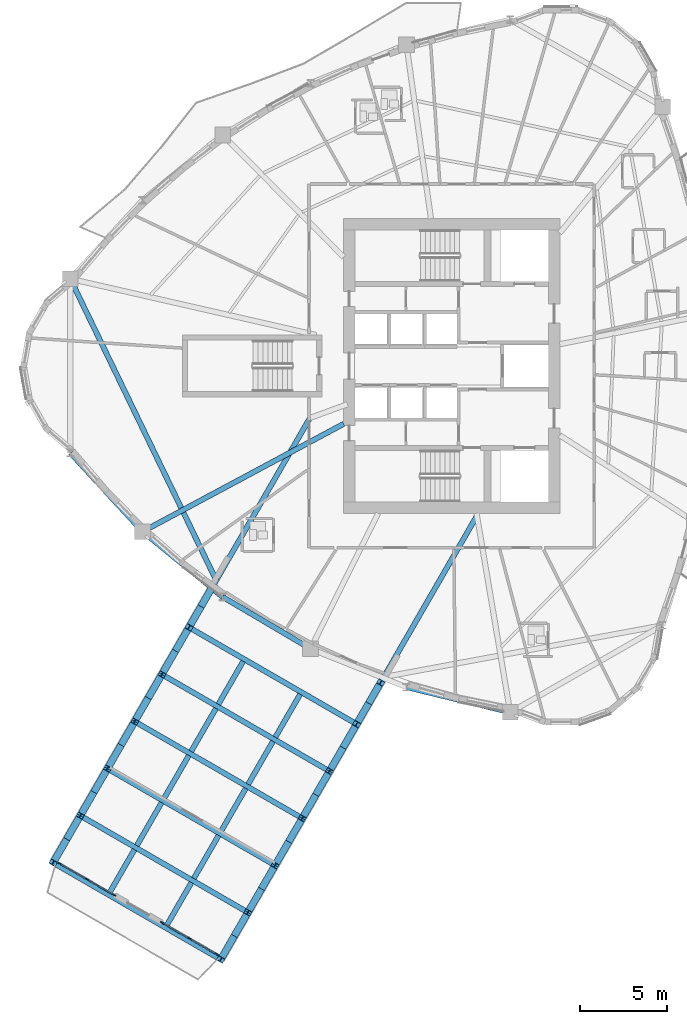
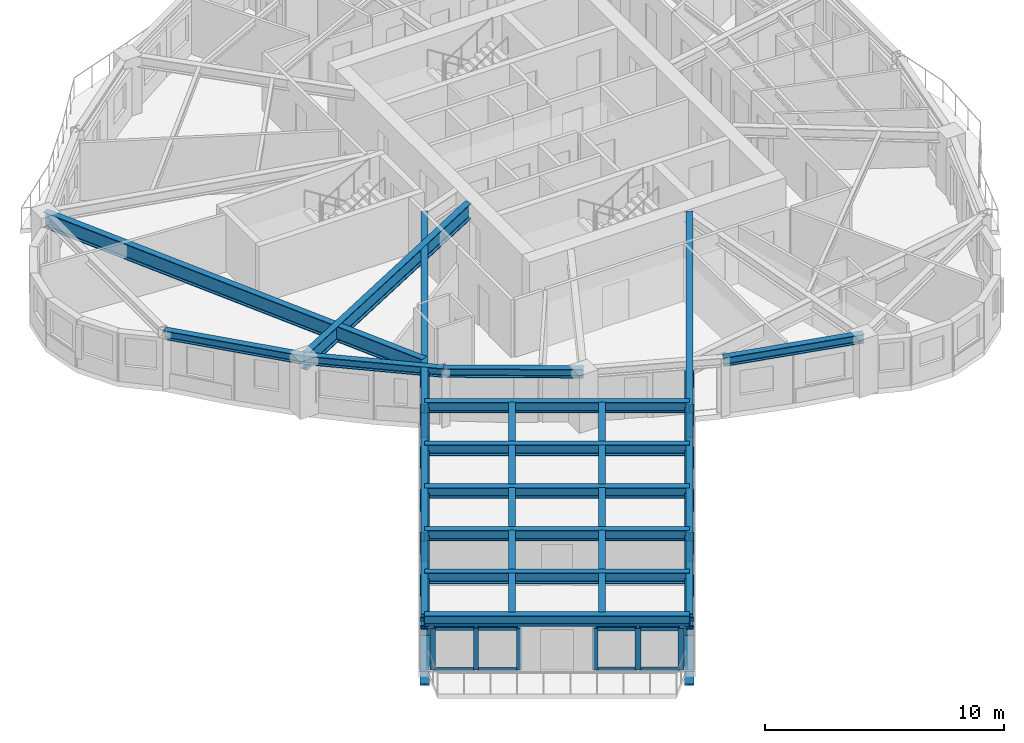
# One storey, part 2 of 17: 38 members, 24 beams, 2 elements without a shape of their own.
"""IFC4 building model written with IfcOpenShell, lengths in metres."""

from ifc_helpers import new_model, si_unit, direction, frame, origin, origin_2d, place, context, subcontext, project, spatial, rectangle, i_section, extrude, source, transform, mapped, material, layer, layer_set, material_profile, profile_set, type_object, element, aggregate, save


model = new_model("IFC4")

# Units and contexts
model_context = context("Model", 3, precision=1e-05, world=origin(), true_north=direction((0.0, 1.0)))
body_context = subcontext(model_context, "Body", "Model", "MODEL_VIEW")
ifc_project = project(units=[si_unit("LENGTHUNIT", "METRE"), si_unit("AREAUNIT", "SQUARE_METRE"), si_unit("VOLUMEUNIT", "CUBIC_METRE"), si_unit("PLANEANGLEUNIT", "RADIAN"), si_unit("MASSUNIT", "GRAM", prefix="KILO")], contexts=[model_context])

# Site, building, storey
site_placement = place(None, origin())
site = spatial("IfcSite", under=ifc_project, at=site_placement, CompositionType="ELEMENT")
building_placement = place(site_placement, origin())
building = spatial("IfcBuilding", under=site, at=building_placement, Name="Qafzar Sky-Pleat Residences", CompositionType="ELEMENT")
storey_placement = place(building_placement, frame((0.0, 0.0, 115.199951171875)))
storey = spatial("IfcBuildingStorey", under=building, at=storey_placement, Name="L34", CompositionType="ELEMENT", Elevation=115.199951171875)

# Beams
ifc_material_1 = material(Name="Steel S355", Category="steel")
ifc_material_profile_1 = material_profile(ifc_material_1, i_section(OverallWidth=0.300048828125, OverallDepth=0.449951171875, WebThickness=0.013916015625, FlangeThickness=0.02587890625, FilletRadius=0.027099609375, at=origin_2d()), Name="HEB 450")
ifc_profile_set_1 = profile_set([ifc_material_profile_1], Name="Steel S355")
beam_type_1 = type_object("IfcBeamType", Name="BM-SPAN-HEB450", PredefinedType="SPANDREL", material=ifc_profile_set_1)
shared_shape_1 = source(origin(), body_context, "Body", "SweptSolid", [
    extrude(i_section(OverallWidth=0.300048828125, OverallDepth=0.449951171875, WebThickness=0.013916015625, FlangeThickness=0.02587890625, FilletRadius=0.027099609375, at=origin_2d()), origin(), (0.0, 0.0, 1.0), 6.12255859375),
])
beam_1_placement = place(storey_placement, frame((8.47412109375, 21.003662109375, 2.72314453125), z_axis=(0.676462829948, -0.736476774718, 0.0), x_axis=(0.736476774718, 0.676462829948, 0.0)))
element("IfcBeam", 1, at=beam_1_placement, inside=storey, type_object=beam_type_1, Name="L34 Perimeter Spandrel Beam 2", PredefinedType="SPANDREL", context=body_context, shape_type="MappedRepresentation", body=[
    mapped(shared_shape_1, transform((0.0, 0.0, 0.0), x_axis=(1.0, 0.0, 0.0), y_axis=(0.0, 1.0, 0.0), z_axis=(0.0, 0.0, 1.0), scale=1.0)),
])
shared_shape_2 = source(origin(), body_context, "Body", "SweptSolid", [
    extrude(i_section(OverallWidth=0.300048828125, OverallDepth=0.449951171875, WebThickness=0.013916015625, FlangeThickness=0.02587890625, FilletRadius=0.027099609375, at=origin_2d()), origin(), (0.0, 0.0, 1.0), 5.9248046875),
])
beam_2_placement = place(storey_placement, frame((12.61572265625, 16.49462890625, 2.72314453125), z_axis=(0.775326900383, -0.631560129792, 0.0), x_axis=(0.631560129792, 0.775326900383, 0.0)))
element("IfcBeam", 2, at=beam_2_placement, inside=storey, type_object=beam_type_1, Name="L34 Perimeter Spandrel Beam 3", PredefinedType="SPANDREL", context=body_context, shape_type="MappedRepresentation", body=[
    mapped(shared_shape_2, transform((0.0, 0.0, 0.0), x_axis=(1.0, 0.0, 0.0), y_axis=(0.0, 1.0, 0.0), z_axis=(0.0, 0.0, 1.0), scale=1.0)),
])
shared_shape_3 = source(origin(), body_context, "Body", "SweptSolid", [
    extrude(i_section(OverallWidth=0.300048828125, OverallDepth=0.449951171875, WebThickness=0.013916015625, FlangeThickness=0.02587890625, FilletRadius=0.027099609375, at=origin_2d()), origin(), (0.0, 0.0, 1.0), 5.85791015625),
])
beam_3_placement = place(storey_placement, frame((17.20947265625, 12.752685546875, 2.72314453125), z_axis=(0.861428087591, -0.507879562406, 0.0), x_axis=(0.507879562406, 0.861428087591, 0.0)))
element("IfcBeam", 3, at=beam_3_placement, inside=storey, type_object=beam_type_1, Name="L34 Perimeter Spandrel Beam 4", PredefinedType="SPANDREL", context=body_context, shape_type="MappedRepresentation", body=[
    mapped(shared_shape_3, transform((0.0, 0.0, 0.0), x_axis=(1.0, 0.0, 0.0), y_axis=(0.0, 1.0, 0.0), z_axis=(0.0, 0.0, 1.0), scale=1.0)),
])
shared_shape_4 = source(origin(), body_context, "Body", "SweptSolid", [
    extrude(i_section(OverallWidth=0.300048828125, OverallDepth=0.449951171875, WebThickness=0.013916015625, FlangeThickness=0.02587890625, FilletRadius=0.027099609375, at=origin_2d()), origin(), (0.0, 0.0, 1.0), 6.122314453125),
])
beam_4_placement = place(storey_placement, frame((27.75390625, 7.5693359375, 2.72314453125), z_axis=(0.971910390101, -0.235351213325, 0.0), x_axis=(0.235351213325, 0.971910390101, 0.0)))
element("IfcBeam", 4, at=beam_4_placement, inside=storey, type_object=beam_type_1, Name="L34 Perimeter Spandrel Beam 6", PredefinedType="SPANDREL", context=body_context, shape_type="MappedRepresentation", body=[
    mapped(shared_shape_4, transform((0.0, 0.0, 0.0), x_axis=(1.0, 0.0, 0.0), y_axis=(0.0, 1.0, 0.0), z_axis=(0.0, 0.0, 1.0), scale=1.0)),
])
ifc_material_2 = material(Name="Steel S460", Category="steel")
ifc_material_profile_2 = material_profile(ifc_material_2, i_section(OverallWidth=0.300048828125, OverallDepth=0.800048828125, WebThickness=0.017578125, FlangeThickness=0.032958984375, FilletRadius=0.030029296875, at=origin_2d()), Name="HEB 800")
ifc_profile_set_2 = profile_set([ifc_material_profile_2], Name="Steel S460")
beam_type_2 = type_object("IfcBeamType", Name="BM-CHORD-HEB800", PredefinedType="BEAM", material=ifc_profile_set_2)
shared_shape_5 = source(origin(), body_context, "Body", "SweptSolid", [
    extrude(i_section(OverallWidth=0.300048828125, OverallDepth=0.800048828125, WebThickness=0.017578125, FlangeThickness=0.032958984375, FilletRadius=0.030029296875, at=origin_2d()), origin(), (0.0, 0.0, 1.0), 13.086669921875),
])
beam_5_placement = place(storey_placement, frame((12.61572265625, 16.49462890625, 2.548095703125), z_axis=(0.881373448835, 0.472420198223, 0.0), x_axis=(-0.472420198223, 0.881373448835, 0.0)))
element("IfcBeam", 5, at=beam_5_placement, inside=storey, type_object=beam_type_2, Name="L34 Radial Floor Girder 3", PredefinedType="BEAM", context=body_context, shape_type="MappedRepresentation", body=[
    mapped(shared_shape_5, transform((0.0, 0.0, 0.0), x_axis=(1.0, 0.0, 0.0), y_axis=(0.0, 1.0, 0.0), z_axis=(0.0, 0.0, 1.0), scale=1.0)),
])
shared_shape_6 = source(origin(), body_context, "Body", "SweptSolid", [
    extrude(i_section(OverallWidth=0.300048828125, OverallDepth=0.800048828125, WebThickness=0.017578125, FlangeThickness=0.032958984375, FilletRadius=0.030029296875, at=origin_2d()), origin(), (0.0, 0.0, 1.0), 29.460205078125),
])
beam_6_placement = place(storey_placement, frame((31.831298828125, 17.4658203125, 2.548095703125), z_axis=(-0.499994809059, -0.866028400755, 0.0), x_axis=(0.866028400755, -0.499994809059, 0.0)))
element("IfcBeam", 6, at=beam_6_placement, inside=storey, type_object=beam_type_2, Name="L34 SB-3 Truss Chord L1", PredefinedType="BEAM", context=body_context, shape_type="MappedRepresentation", body=[
    mapped(shared_shape_6, transform((0.0, 0.0, 0.0), x_axis=(1.0, 0.0, 0.0), y_axis=(0.0, 1.0, 0.0), z_axis=(0.0, 0.0, 1.0), scale=1.0)),
])
shared_shape_7 = source(origin(), body_context, "Body", "SweptSolid", [
    extrude(i_section(OverallWidth=0.300048828125, OverallDepth=0.800048828125, WebThickness=0.017578125, FlangeThickness=0.032958984375, FilletRadius=0.030029296875, at=origin_2d()), origin(), (0.0, 0.0, 1.0), 29.46044921875),
])
beam_7_placement = place(storey_placement, frame((22.218505859375, 23.015869140625, 2.548095703125), z_axis=(-0.5000010244, -0.866024812346, 0.0), x_axis=(0.866024812346, -0.5000010244, 0.0)))
element("IfcBeam", 7, at=beam_7_placement, inside=storey, type_object=beam_type_2, Name="L34 SB-3 Truss Chord R1", PredefinedType="BEAM", context=body_context, shape_type="MappedRepresentation", body=[
    mapped(shared_shape_7, transform((0.0, 0.0, 0.0), x_axis=(1.0, 0.0, 0.0), y_axis=(0.0, 1.0, 0.0), z_axis=(0.0, 0.0, 1.0), scale=1.0)),
])
shared_shape_8 = source(origin(), body_context, "Body", "SweptSolid", [
    extrude(i_section(OverallWidth=0.300048828125, OverallDepth=0.800048828125, WebThickness=0.017578125, FlangeThickness=0.032958984375, FilletRadius=0.030029296875, at=origin_2d()), origin(), (0.0, 0.0, 1.0), 19.209228515625),
])
beam_8_placement = place(storey_placement, frame((8.47412109375, 30.996337890625, 2.548095703125), z_axis=(0.435697460099, -0.900093174768, 0.0), x_axis=(0.900093174768, 0.435697460099, 0.0)))
element("IfcBeam", 8, at=beam_8_placement, inside=storey, type_object=beam_type_2, Name="L34 SB-3 Wing-Belt Top Chord R", PredefinedType="BEAM", context=body_context, shape_type="MappedRepresentation", body=[
    mapped(shared_shape_8, transform((0.0, 0.0, 0.0), x_axis=(1.0, 0.0, 0.0), y_axis=(0.0, 1.0, 0.0), z_axis=(0.0, 0.0, 1.0), scale=1.0)),
])
ifc_material_profile_3 = material_profile(ifc_material_1, i_section(OverallWidth=0.300048828125, OverallDepth=0.550048828125, WebThickness=0.014892578125, FlangeThickness=0.029052734375, FilletRadius=0.027099609375, at=origin_2d()), Name="HEB 550")
ifc_profile_set_3 = profile_set([ifc_material_profile_3], Name="Steel S355")
beam_type_3 = type_object("IfcBeamType", Name="BM-GIRD-HEB550", PredefinedType="BEAM", material=ifc_profile_set_3)
shared_shape_9 = source(origin(), body_context, "Body", "SweptSolid", [
    extrude(i_section(OverallWidth=0.300048828125, OverallDepth=0.550048828125, WebThickness=0.014892578125, FlangeThickness=0.029052734375, FilletRadius=0.027099609375, at=origin_2d()), origin(), (0.0, 0.0, 1.0), 11.099853515625),
])
for number, where, z_axis, x_axis, name in (
    (9, (24.897216796875, 5.45556640625, 2.68798828125), (-0.866021494144, 0.500006771635, 0.0), (-0.500006771635, -0.866021494144, 0.0), "L34 SB-3 Transverse Girder 1"),
    (10, (23.337890625, 2.7548828125, 2.68798828125), (-0.866021494144, 0.500006771635, 0.0), (-0.500006771635, -0.866021494144, 0.0), "L34 SB-3 Transverse Girder 2"),
    (11, (21.77880859375, 0.05419921875, 2.68798828125), (-0.866021494144, 0.500006771635, 0.0), (-0.500006771635, -0.866021494144, 0.0), "L34 SB-3 Transverse Girder 3"),
    (12, (20.219482421875, -2.646240234375, 2.68798828125), (-0.866021494144, 0.500006771635, 0.0), (-0.500006771635, -0.866021494144, 0.0), "L34 SB-3 Transverse Girder 4"),
    (13, (18.660400390625, -5.346923828125, 2.68798828125), (-0.866021494144, 0.500006771635, 0.0), (-0.500006771635, -0.866021494144, 0.0), "L34 SB-3 Transverse Girder 5"),
):
    element("IfcBeam", number, at=place(storey_placement, frame(where, z_axis=z_axis, x_axis=x_axis)), inside=storey, type_object=beam_type_3, Name=name, PredefinedType="BEAM", context=body_context, shape_type="MappedRepresentation", body=[
        mapped(shared_shape_9, transform((0.0, 0.0, 0.0), x_axis=(1.0, 0.0, 0.0), y_axis=(0.0, 1.0, 0.0), z_axis=(0.0, 0.0, 1.0), scale=1.0)),
    ])
ifc_material_profile_4 = material_profile(ifc_material_1, i_section(OverallWidth=0.300048828125, OverallDepth=0.389892578125, WebThickness=0.010986328125, FlangeThickness=0.01904296875, FilletRadius=0.027099609375, at=origin_2d()), Name="HEA 400")
ifc_profile_set_4 = profile_set([ifc_material_profile_4], Name="Steel S355")
beam_type_4 = type_object("IfcBeamType", Name="BM-SBJ-HEA400", PredefinedType="JOIST", material=ifc_profile_set_4)
shared_shape_10 = source(origin(), body_context, "Body", "SweptSolid", [
    extrude(i_section(OverallWidth=0.300048828125, OverallDepth=0.389892578125, WebThickness=0.010986328125, FlangeThickness=0.01904296875, FilletRadius=0.027099609375, at=origin_2d()), origin(), (0.0, 0.0, 1.0), 2.848388671875),
])
for number, where, z_axis, x_axis, name in (
    (14, (18.38916015625, 9.05712890625, 2.76806640625), (-0.500029111807, -0.866008595423, 0.0), (0.866008595423, -0.500029111807, 0.0), "L34 SB-3 Sky-Bar Secondary Deck Joist 2.1"),
    (15, (21.657470703125, 7.170166015625, 2.76806640625), (-0.499964828059, -0.866045709362, 0.0), (0.866045709362, -0.499964828059, 0.0), "L34 SB-3 Sky-Bar Secondary Deck Joist 2.2"),
    (16, (16.829833984375, 6.3564453125, 2.76806640625), (-0.499964828059, -0.866045709362, 0.0), (0.866045709362, -0.499964828059, 0.0), "L34 SB-3 Sky-Bar Secondary Deck Joist 3.1"),
    (17, (20.098388671875, 4.469482421875, 2.76806640625), (-0.500029111807, -0.866008595423, 0.0), (0.866008595423, -0.500029111807, 0.0), "L34 SB-3 Sky-Bar Secondary Deck Joist 3.2"),
    (18, (15.270751953125, 3.656005859375, 2.76806640625), (-0.500029111807, -0.866008595423, 0.0), (0.866008595423, -0.500029111807, 0.0), "L34 SB-3 Sky-Bar Secondary Deck Joist 4.1"),
    (19, (18.5390625, 1.768798828125, 2.76806640625), (-0.499964828059, -0.866045709362, 0.0), (0.866045709362, -0.499964828059, 0.0), "L34 SB-3 Sky-Bar Secondary Deck Joist 4.2"),
    (20, (13.71142578125, 0.955322265625, 2.76806640625), (-0.499964828059, -0.866045709362, 0.0), (0.866045709362, -0.499964828059, 0.0), "L34 SB-3 Sky-Bar Secondary Deck Joist 5.1"),
    (21, (16.97998046875, -0.931640625, 2.76806640625), (-0.500029111807, -0.866008595423, 0.0), (0.866008595423, -0.500029111807, 0.0), "L34 SB-3 Sky-Bar Secondary Deck Joist 5.2"),
    (22, (12.15234375, -1.745361328125, 2.76806640625), (-0.500029111807, -0.866008595423, 0.0), (0.866008595423, -0.500029111807, 0.0), "L34 SB-3 Sky-Bar Secondary Deck Joist 6.1"),
    (23, (15.420654296875, -3.63232421875, 2.76806640625), (-0.499964828059, -0.866045709362, 0.0), (0.866045709362, -0.499964828059, 0.0), "L34 SB-3 Sky-Bar Secondary Deck Joist 6.2"),
):
    element("IfcBeam", number, at=place(storey_placement, frame(where, z_axis=z_axis, x_axis=x_axis)), inside=storey, type_object=beam_type_4, Name=name, PredefinedType="JOIST", context=body_context, shape_type="MappedRepresentation", body=[
        mapped(shared_shape_10, transform((0.0, 0.0, 0.0), x_axis=(1.0, 0.0, 0.0), y_axis=(0.0, 1.0, 0.0), z_axis=(0.0, 0.0, 1.0), scale=1.0)),
    ])
shared_shape_11 = source(origin(), body_context, "Body", "SweptSolid", [
    extrude(i_section(OverallWidth=0.300048828125, OverallDepth=0.550048828125, WebThickness=0.014892578125, FlangeThickness=0.029052734375, FilletRadius=0.027099609375, at=origin_2d()), origin(), (0.0, 0.0, 1.0), 11.10009765625),
])
beam_9_placement = place(storey_placement, frame((17.101318359375, -8.047607421875, 2.68798828125), z_axis=(-0.866026992824, 0.499997247692, 0.0), x_axis=(-0.499997247692, -0.866026992824, 0.0)))
element("IfcBeam", 24, at=beam_9_placement, inside=storey, type_object=beam_type_3, Name="L34 SB-3 Transverse Girder 6", PredefinedType="BEAM", context=body_context, shape_type="MappedRepresentation", body=[
    mapped(shared_shape_11, transform((0.0, 0.0, 0.0), x_axis=(1.0, 0.0, 0.0), y_axis=(0.0, 1.0, 0.0), z_axis=(0.0, 0.0, 1.0), scale=1.0)),
])

# Members
ifc_material_profile_5 = material_profile(ifc_material_2, i_section(OverallWidth=0.40087890625, OverallDepth=0.39892578125, WebThickness=0.02294921875, FlangeThickness=0.035888671875, FilletRadius=0.014892578125, at=origin_2d()), Name="HD 400x314")
ifc_profile_set_5 = profile_set([ifc_material_profile_5], Name="Steel S460")
member_type_1 = type_object("IfcMemberType", Name="MEM-SB-DIAG", PredefinedType="BRACE", material=ifc_profile_set_5)
shared_shape_12 = source(origin(), body_context, "Body", "SweptSolid", [
    extrude(i_section(OverallWidth=0.40087890625, OverallDepth=0.39892578125, WebThickness=0.02294921875, FlangeThickness=0.035888671875, FilletRadius=0.014892578125, at=origin_2d()), origin(), (0.0, 0.0, 1.0), 4.236328125),
])
for number, where, z_axis, x_axis, name in (
    (25, (26.2763671875, 7.844482421875, -0.6669921875), (-0.325559693118, -0.563923100931, 0.758947707324), (0.866039674899, -0.49997528089, 0.0), "L34 SB-3 Truss Web Diagonal L1A"),
    (26, (26.2763671875, 7.844482421875, 2.548095703125), (-0.325559693118, -0.563923100931, -0.758947707324), (0.866039674899, -0.49997528089, 0.0), "L34 SB-3 Truss Web Diagonal L1B"),
):
    element("IfcMember", number, at=place(storey_placement, frame(where, z_axis=z_axis, x_axis=x_axis)), inside=storey, type_object=member_type_1, Name=name, PredefinedType="BRACE", context=body_context, shape_type="MappedRepresentation", body=[
        mapped(shared_shape_12, transform((0.0, 0.0, 0.0), x_axis=(1.0, 0.0, 0.0), y_axis=(0.0, 1.0, 0.0), z_axis=(0.0, 0.0, 1.0), scale=1.0)),
    ])
shared_shape_13 = source(origin(), body_context, "Body", "SweptSolid", [
    extrude(i_section(OverallWidth=0.40087890625, OverallDepth=0.39892578125, WebThickness=0.02294921875, FlangeThickness=0.035888671875, FilletRadius=0.014892578125, at=origin_2d()), origin(), (0.0, 0.0, 1.0), 4.47900390625),
])
for number, where, z_axis, x_axis, name in (
    (27, (24.897216796875, 5.45556640625, -0.6669921875), (-0.348136909967, -0.602957648044, 0.717804128285), (0.866013493936, -0.500020627895, 0.0), "L34 SB-3 Truss Web Diagonal L2A"),
    (28, (24.897216796875, 5.45556640625, 2.548095703125), (-0.348136909967, -0.602957648044, -0.717804128285), (0.866013493936, -0.500020627895, 0.0), "L34 SB-3 Truss Web Diagonal L2B"),
    (29, (23.337890625, 2.7548828125, -0.6669921875), (-0.348089007718, -0.60296908916, 0.717817748612), (0.866047393576, -0.499961910629, 0.0), "L34 SB-3 Truss Web Diagonal L3A"),
    (30, (23.337890625, 2.7548828125, 2.548095703125), (-0.348089007718, -0.60296908916, -0.717817748612), (0.866047393576, -0.499961910629, 0.0), "L34 SB-3 Truss Web Diagonal L3B"),
    (31, (21.77880859375, 0.05419921875, -0.6669921875), (-0.3481483517, -0.602922955716, 0.717827719358), (0.86599391852, -0.500054530113, 0.0), "L34 SB-3 Truss Web Diagonal L4A"),
    (32, (21.77880859375, 0.05419921875, 2.548095703125), (-0.3481483517, -0.602922955716, -0.717827719358), (0.86599391852, -0.500054530113, 0.0), "L34 SB-3 Truss Web Diagonal L4B"),
    (33, (20.219482421875, -2.646240234375, -0.6669921875), (-0.348089007718, -0.60296908916, 0.717817748612), (0.866047393576, -0.499961910629, 0.0), "L34 SB-3 Truss Web Diagonal L5A"),
    (34, (20.219482421875, -2.646240234375, 2.548095703125), (-0.348089007718, -0.60296908916, -0.717817748612), (0.866047393576, -0.499961910629, 0.0), "L34 SB-3 Truss Web Diagonal L5B"),
    (35, (18.660400390625, -5.346923828125, -0.6669921875), (-0.348089007718, -0.60296908916, 0.717817748612), (0.866047393576, -0.499961910629, 0.0), "L34 SB-3 Truss Web Diagonal L6A"),
    (36, (18.660400390625, -5.346923828125, 2.548095703125), (-0.348089007718, -0.60296908916, -0.717817748612), (0.866047393576, -0.499961910629, 0.0), "L34 SB-3 Truss Web Diagonal L6B"),
    (37, (15.284423828125, 11.005615234375, -0.6669921875), (-0.348136909967, -0.602957648044, 0.717804128285), (0.866013493936, -0.500020627895, 0.0), "L34 SB-3 Truss Web Diagonal R2A"),
    (38, (15.284423828125, 11.005615234375, 2.548095703125), (-0.348136909967, -0.602957648044, -0.717804128285), (0.866013493936, -0.500020627895, 0.0), "L34 SB-3 Truss Web Diagonal R2B"),
    (39, (13.72509765625, 8.304931640625, -0.6669921875), (-0.348089007718, -0.60296908916, 0.717817748612), (0.866047393576, -0.499961910629, 0.0), "L34 SB-3 Truss Web Diagonal R3A"),
    (40, (13.72509765625, 8.304931640625, 2.548095703125), (-0.348089007718, -0.60296908916, -0.717817748612), (0.866047393576, -0.499961910629, 0.0), "L34 SB-3 Truss Web Diagonal R3B"),
    (41, (12.166015625, 5.604248046875, -0.6669921875), (-0.3481483517, -0.602922955716, 0.717827719358), (0.86599391852, -0.500054530113, 0.0), "L34 SB-3 Truss Web Diagonal R4A"),
    (42, (12.166015625, 5.604248046875, 2.548095703125), (-0.3481483517, -0.602922955716, -0.717827719358), (0.86599391852, -0.500054530113, 0.0), "L34 SB-3 Truss Web Diagonal R4B"),
    (43, (10.606689453125, 2.90380859375, -0.6669921875), (-0.348089007718, -0.60296908916, 0.717817748612), (0.866047393576, -0.499961910629, 0.0), "L34 SB-3 Truss Web Diagonal R5A"),
    (44, (10.606689453125, 2.90380859375, 2.548095703125), (-0.348089007718, -0.60296908916, -0.717817748612), (0.866047393576, -0.499961910629, 0.0), "L34 SB-3 Truss Web Diagonal R5B"),
    (45, (9.047607421875, 0.203125, -0.6669921875), (-0.348136909967, -0.602957648044, 0.717804128285), (0.866013493936, -0.500020627895, 0.0), "L34 SB-3 Truss Web Diagonal R6A"),
    (46, (9.047607421875, 0.203125, 2.548095703125), (-0.348136909967, -0.602957648044, -0.717804128285), (0.866013493936, -0.500020627895, 0.0), "L34 SB-3 Truss Web Diagonal R6B"),
):
    element("IfcMember", number, at=place(storey_placement, frame(where, z_axis=z_axis, x_axis=x_axis)), inside=storey, type_object=member_type_1, Name=name, PredefinedType="BRACE", context=body_context, shape_type="MappedRepresentation", body=[
        mapped(shared_shape_13, transform((0.0, 0.0, 0.0), x_axis=(1.0, 0.0, 0.0), y_axis=(0.0, 1.0, 0.0), z_axis=(0.0, 0.0, 1.0), scale=1.0)),
    ])
shared_shape_14 = source(origin(), body_context, "Body", "SweptSolid", [
    extrude(i_section(OverallWidth=0.40087890625, OverallDepth=0.39892578125, WebThickness=0.02294921875, FlangeThickness=0.035888671875, FilletRadius=0.014892578125, at=origin_2d()), origin(), (0.0, 0.0, 1.0), 4.236083984375),
])
for number, where, z_axis, x_axis, name in (
    (47, (16.66357421875, 13.394287109375, -0.6669921875), (-0.325570273676, -0.563883794945, 0.758972372816), (0.866017547827, -0.500013606671, 0.0), "L34 SB-3 Truss Web Diagonal R1A"),
    (48, (16.66357421875, 13.394287109375, 2.548095703125), (-0.325570273676, -0.563883794945, -0.758972372816), (0.866017547827, -0.500013606671, 0.0), "L34 SB-3 Truss Web Diagonal R1B"),
):
    element("IfcMember", number, at=place(storey_placement, frame(where, z_axis=z_axis, x_axis=x_axis)), inside=storey, type_object=member_type_1, Name=name, PredefinedType="BRACE", context=body_context, shape_type="MappedRepresentation", body=[
        mapped(shared_shape_14, transform((0.0, 0.0, 0.0), x_axis=(1.0, 0.0, 0.0), y_axis=(0.0, 1.0, 0.0), z_axis=(0.0, 0.0, 1.0), scale=1.0)),
    ])

# Curtain wall, members
ifc_material_3 = material(Name="Anodised bronze aluminium framing", Category="aluminium")
ifc_layer_1 = layer(ifc_material_3, 0.239990234375)
ifc_layer_set_1 = layer_set([ifc_layer_1], Name="Anodised bronze aluminium framing")
curtain_wall_type_1 = type_object("IfcCurtainWallType", Name="CW-SYS-02", PredefinedType="NOTDEFINED", material=ifc_layer_set_1)
curtain_wall_1_placement = place(storey_placement, origin())
curtain_wall_1 = element("IfcCurtainWall", 49, at=curtain_wall_1_placement, inside=storey, type_object=curtain_wall_type_1, Name="L34 CW-02 Curtain Wall CW-L34-SB-3-PROW-L", PredefinedType="NOTDEFINED")
ifc_material_4 = material(Name="Anodised bronze aluminium", Category="aluminium")
ifc_material_profile_6 = material_profile(ifc_material_4, rectangle(XDim=0.074951171875, YDim=0.239990234375, at=origin_2d()), Name="ALU MULLION 75x240")
ifc_profile_set_6 = profile_set([ifc_material_profile_6], Name="Anodised bronze aluminium")
member_type_2 = type_object("IfcMemberType", Name="CWM-02", PredefinedType="MULLION", material=ifc_profile_set_6)
shared_shape_15 = source(origin(), body_context, "Body", "SweptSolid", [
    extrude(rectangle(XDim=0.074951171875, YDim=0.239990234375, at=origin_2d()), origin(), (0.0, 0.0, 1.0), 2.130126953125),
])
member_1_placement = place(storey_placement, frame((16.875244140625, -7.743896484375, 0.0), z_axis=(0.0, 0.0, 1.0), x_axis=(-0.499996880201, -0.866027204994, 0.0)))
member_1 = element("IfcMember", 50, at=member_1_placement, type_object=member_type_2, Name="CW-02 mullion 1", PredefinedType="MULLION", context=body_context, shape_type="MappedRepresentation", body=[
    mapped(shared_shape_15, transform((0.0, 0.0, 0.0), x_axis=(1.0, 0.0, 0.0), y_axis=(0.0, 1.0, 0.0), z_axis=(0.0, 0.0, 1.0), scale=1.0)),
])
member_2_placement = place(storey_placement, frame((15.314208984375, -6.842529296875, 0.0), z_axis=(0.0, 0.0, 1.0), x_axis=(-0.499996880201, -0.866027204994, 0.0)))
member_2 = element("IfcMember", 51, at=member_2_placement, type_object=member_type_2, Name="CW-02 mullion 2", PredefinedType="MULLION", context=body_context, shape_type="MappedRepresentation", body=[
    mapped(shared_shape_15, transform((0.0, 0.0, 0.0), x_axis=(1.0, 0.0, 0.0), y_axis=(0.0, 1.0, 0.0), z_axis=(0.0, 0.0, 1.0), scale=1.0)),
])
member_3_placement = place(storey_placement, frame((13.753173828125, -5.94140625, 0.0), z_axis=(0.0, 0.0, 1.0), x_axis=(-0.499996880201, -0.866027204994, 0.0)))
member_3 = element("IfcMember", 52, at=member_3_placement, type_object=member_type_2, Name="CW-02 mullion 3", PredefinedType="MULLION", context=body_context, shape_type="MappedRepresentation", body=[
    mapped(shared_shape_15, transform((0.0, 0.0, 0.0), x_axis=(1.0, 0.0, 0.0), y_axis=(0.0, 1.0, 0.0), z_axis=(0.0, 0.0, 1.0), scale=1.0)),
])

ifc_layer_2 = layer(ifc_material_3, 0.219970703125)
ifc_layer_set_2 = layer_set([ifc_layer_2], Name="Anodised bronze aluminium framing")
curtain_wall_type_2 = type_object("IfcCurtainWallType", Name="CW-SYS-03", PredefinedType="NOTDEFINED", material=ifc_layer_set_2)
curtain_wall_2_placement = place(storey_placement, origin())
curtain_wall_2 = element("IfcCurtainWall", 53, at=curtain_wall_2_placement, inside=storey, type_object=curtain_wall_type_2, Name="L34 CW-03 Curtain Wall CW-L34-SB-3-PROW-R", PredefinedType="NOTDEFINED")
ifc_material_profile_7 = material_profile(ifc_material_4, rectangle(XDim=0.070068359375, YDim=0.219970703125, at=origin_2d()), Name="ALU MULLION 70x220")
ifc_profile_set_7 = profile_set([ifc_material_profile_7], Name="Anodised bronze aluminium")
member_type_3 = type_object("IfcMemberType", Name="CWM-03", PredefinedType="MULLION", material=ifc_profile_set_7)
shared_shape_16 = source(origin(), body_context, "Body", "SweptSolid", [
    extrude(rectangle(XDim=0.070068359375, YDim=0.219970703125, at=origin_2d()), origin(), (0.0, 0.0, 1.0), 2.130126953125),
])
member_4_placement = place(storey_placement, frame((10.988525390625, -4.34521484375, 0.0), z_axis=(0.0, 0.0, 1.0), x_axis=(-0.499996880201, -0.866027204994, 0.0)))
member_4 = element("IfcMember", 54, at=member_4_placement, type_object=member_type_3, Name="CW-03 mullion 1", PredefinedType="MULLION", context=body_context, shape_type="MappedRepresentation", body=[
    mapped(shared_shape_16, transform((0.0, 0.0, 0.0), x_axis=(1.0, 0.0, 0.0), y_axis=(0.0, 1.0, 0.0), z_axis=(0.0, 0.0, 1.0), scale=1.0)),
])
member_5_placement = place(storey_placement, frame((9.42529296875, -3.442626953125, 0.0), z_axis=(0.0, 0.0, 1.0), x_axis=(-0.499996880201, -0.866027204994, 0.0)))
member_5 = element("IfcMember", 55, at=member_5_placement, type_object=member_type_3, Name="CW-03 mullion 2", PredefinedType="MULLION", context=body_context, shape_type="MappedRepresentation", body=[
    mapped(shared_shape_16, transform((0.0, 0.0, 0.0), x_axis=(1.0, 0.0, 0.0), y_axis=(0.0, 1.0, 0.0), z_axis=(0.0, 0.0, 1.0), scale=1.0)),
])
member_6_placement = place(storey_placement, frame((7.862060546875, -2.5400390625, 0.0), z_axis=(0.0, 0.0, 1.0), x_axis=(-0.499996880201, -0.866027204994, 0.0)))
member_6 = element("IfcMember", 56, at=member_6_placement, type_object=member_type_3, Name="CW-03 mullion 3", PredefinedType="MULLION", context=body_context, shape_type="MappedRepresentation", body=[
    mapped(shared_shape_16, transform((0.0, 0.0, 0.0), x_axis=(1.0, 0.0, 0.0), y_axis=(0.0, 1.0, 0.0), z_axis=(0.0, 0.0, 1.0), scale=1.0)),
])

# Member
ifc_material_profile_8 = material_profile(ifc_material_4, rectangle(XDim=0.074951171875, YDim=0.179931640625, at=origin_2d()), Name="ALU TRANSOM 75x180")
ifc_profile_set_8 = profile_set([ifc_material_profile_8], Name="Anodised bronze aluminium")
member_type_4 = type_object("IfcMemberType", Name="CWT-02", PredefinedType="USERDEFINED", material=ifc_profile_set_8)
shared_shape_17 = source(origin(), body_context, "Body", "SweptSolid", [
    extrude(rectangle(XDim=0.074951171875, YDim=0.179931640625, at=origin_2d()), origin(), (0.0, 0.0, 1.0), 1.7275390625),
])
member_7_placement = place(storey_placement, frame((16.8427734375, -7.72509765625, 0.03759765625), z_axis=(-0.866025553686, 0.499999740363, 0.0), x_axis=(-0.499999740363, -0.866025553686, 0.0)))
member_7 = element("IfcMember", 57, at=member_7_placement, type_object=member_type_4, Name="CW-02 transom 1.1", ObjectType="TRANSOM", PredefinedType="USERDEFINED", context=body_context, shape_type="MappedRepresentation", body=[
    mapped(shared_shape_17, transform((0.0, 0.0, 0.0), x_axis=(1.0, 0.0, 0.0), y_axis=(0.0, 1.0, 0.0), z_axis=(0.0, 0.0, 1.0), scale=1.0)),
])

member_8_placement = place(storey_placement, frame((16.8427734375, -7.72509765625, 2.092529296875), z_axis=(-0.866025553686, 0.499999740363, 0.0), x_axis=(-0.499999740363, -0.866025553686, 0.0)))
member_8 = element("IfcMember", 58, at=member_8_placement, type_object=member_type_4, Name="CW-02 transom 1.2", ObjectType="TRANSOM", PredefinedType="USERDEFINED", context=body_context, shape_type="MappedRepresentation", body=[
    mapped(shared_shape_17, transform((0.0, 0.0, 0.0), x_axis=(1.0, 0.0, 0.0), y_axis=(0.0, 1.0, 0.0), z_axis=(0.0, 0.0, 1.0), scale=1.0)),
])

member_9_placement = place(storey_placement, frame((15.28173828125, -6.82373046875, 0.03759765625), z_axis=(-0.866086746029, 0.49989373706, 0.0), x_axis=(-0.49989373706, -0.866086746029, 0.0)))
member_9 = element("IfcMember", 59, at=member_9_placement, type_object=member_type_4, Name="CW-02 transom 2.1", ObjectType="TRANSOM", PredefinedType="USERDEFINED", context=body_context, shape_type="MappedRepresentation", body=[
    mapped(shared_shape_17, transform((0.0, 0.0, 0.0), x_axis=(1.0, 0.0, 0.0), y_axis=(0.0, 1.0, 0.0), z_axis=(0.0, 0.0, 1.0), scale=1.0)),
])

member_10_placement = place(storey_placement, frame((15.28173828125, -6.82373046875, 2.092529296875), z_axis=(-0.866086746029, 0.49989373706, 0.0), x_axis=(-0.49989373706, -0.866086746029, 0.0)))
member_10 = element("IfcMember", 60, at=member_10_placement, type_object=member_type_4, Name="CW-02 transom 2.2", ObjectType="TRANSOM", PredefinedType="USERDEFINED", context=body_context, shape_type="MappedRepresentation", body=[
    mapped(shared_shape_17, transform((0.0, 0.0, 0.0), x_axis=(1.0, 0.0, 0.0), y_axis=(0.0, 1.0, 0.0), z_axis=(0.0, 0.0, 1.0), scale=1.0)),
])

aggregate(curtain_wall_1, [member_1, member_2, member_3, member_7, member_8, member_9, member_10])

ifc_material_profile_9 = material_profile(ifc_material_4, rectangle(XDim=0.070068359375, YDim=0.1650390625, at=origin_2d()), Name="ALU TRANSOM 70x165")
ifc_profile_set_9 = profile_set([ifc_material_profile_9], Name="Anodised bronze aluminium")
member_type_5 = type_object("IfcMemberType", Name="CWT-03", PredefinedType="USERDEFINED", material=ifc_profile_set_9)
shared_shape_18 = source(origin(), body_context, "Body", "SweptSolid", [
    extrude(rectangle(XDim=0.070068359375, YDim=0.1650390625, at=origin_2d()), origin(), (0.0, 0.0, 1.0), 1.735107421875),
])
member_11_placement = place(storey_placement, frame((10.958251953125, -4.32763671875, 0.03515625), z_axis=(-0.866061404673, 0.499937639448, 0.0), x_axis=(-0.499937639448, -0.866061404673, 0.0)))
member_11 = element("IfcMember", 61, at=member_11_placement, type_object=member_type_5, Name="CW-03 transom 1.1", ObjectType="TRANSOM", PredefinedType="USERDEFINED", context=body_context, shape_type="MappedRepresentation", body=[
    mapped(shared_shape_18, transform((0.0, 0.0, 0.0), x_axis=(1.0, 0.0, 0.0), y_axis=(0.0, 1.0, 0.0), z_axis=(0.0, 0.0, 1.0), scale=1.0)),
])

member_12_placement = place(storey_placement, frame((10.958251953125, -4.32763671875, 2.094970703125), z_axis=(-0.866061404673, 0.499937639448, 0.0), x_axis=(-0.499937639448, -0.866061404673, 0.0)))
member_12 = element("IfcMember", 62, at=member_12_placement, type_object=member_type_5, Name="CW-03 transom 1.2", ObjectType="TRANSOM", PredefinedType="USERDEFINED", context=body_context, shape_type="MappedRepresentation", body=[
    mapped(shared_shape_18, transform((0.0, 0.0, 0.0), x_axis=(1.0, 0.0, 0.0), y_axis=(0.0, 1.0, 0.0), z_axis=(0.0, 0.0, 1.0), scale=1.0)),
])

member_13_placement = place(storey_placement, frame((9.39501953125, -3.425048828125, 0.03515625), z_axis=(-0.866061404673, 0.499937639448, 0.0), x_axis=(-0.499937639448, -0.866061404673, 0.0)))
member_13 = element("IfcMember", 63, at=member_13_placement, type_object=member_type_5, Name="CW-03 transom 2.1", ObjectType="TRANSOM", PredefinedType="USERDEFINED", context=body_context, shape_type="MappedRepresentation", body=[
    mapped(shared_shape_18, transform((0.0, 0.0, 0.0), x_axis=(1.0, 0.0, 0.0), y_axis=(0.0, 1.0, 0.0), z_axis=(0.0, 0.0, 1.0), scale=1.0)),
])

member_14_placement = place(storey_placement, frame((9.39501953125, -3.425048828125, 2.094970703125), z_axis=(-0.866061404673, 0.499937639448, 0.0), x_axis=(-0.499937639448, -0.866061404673, 0.0)))
member_14 = element("IfcMember", 64, at=member_14_placement, type_object=member_type_5, Name="CW-03 transom 2.2", ObjectType="TRANSOM", PredefinedType="USERDEFINED", context=body_context, shape_type="MappedRepresentation", body=[
    mapped(shared_shape_18, transform((0.0, 0.0, 0.0), x_axis=(1.0, 0.0, 0.0), y_axis=(0.0, 1.0, 0.0), z_axis=(0.0, 0.0, 1.0), scale=1.0)),
])

aggregate(curtain_wall_2, [member_4, member_5, member_6, member_11, member_12, member_13, member_14])

save(model, "model.ifc")
